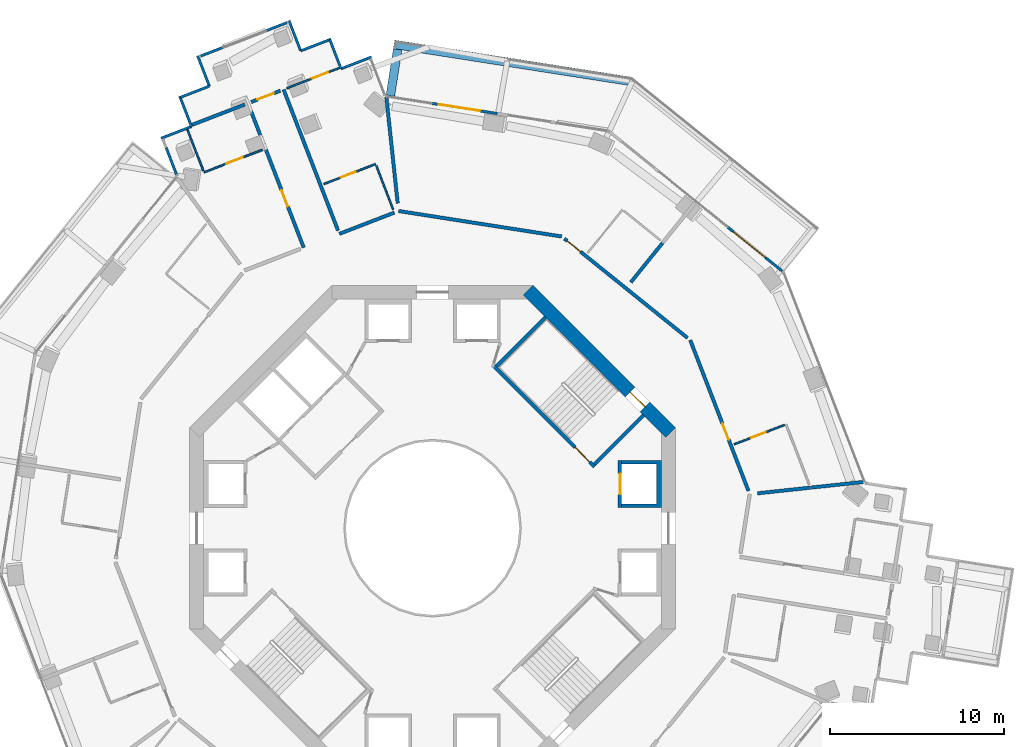
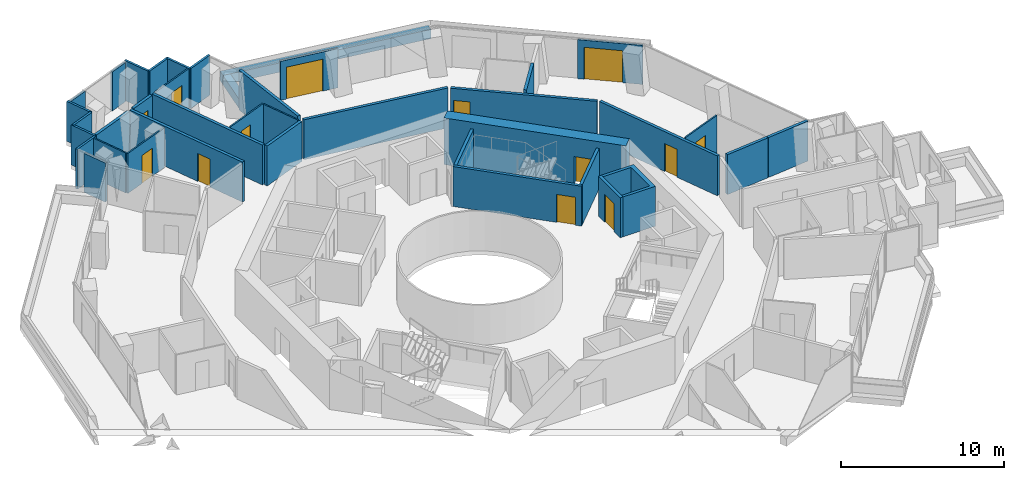
# One storey, part 19 of 23: 39 walls, 13 doors, 13 openings.
"""IFC4 building model written with IfcOpenShell, lengths in metres."""

from ifc_helpers import new_model, si_unit, direction, frame, frame_2d, origin, place, context, subcontext, project, spatial, polyline, rectangle, outline, extrude, material, layer, layer_set, type_object, element, fill, save


model = new_model("IFC4")

# Units and contexts
model_context = context("Model", 3, precision=1e-05, world=origin(), true_north=direction((0.0, 1.0)))
body_context = subcontext(model_context, "Body", "Model", "MODEL_VIEW")
ifc_project = project(units=[si_unit("LENGTHUNIT", "METRE"), si_unit("AREAUNIT", "SQUARE_METRE"), si_unit("VOLUMEUNIT", "CUBIC_METRE"), si_unit("PLANEANGLEUNIT", "RADIAN"), si_unit("MASSUNIT", "GRAM", prefix="KILO")], contexts=[model_context])

# Site, building, storey
site_placement = place(None, origin())
site = spatial("IfcSite", under=ifc_project, at=site_placement, CompositionType="ELEMENT")
building_placement = place(site_placement, origin())
building = spatial("IfcBuilding", under=site, at=building_placement, Name="Verdalira Terraces Hotel", CompositionType="ELEMENT")
storey_placement = place(building_placement, frame((0.0, 0.0, 118.5)))
storey = spatial("IfcBuildingStorey", under=building, at=storey_placement, Name="L28", CompositionType="ELEMENT", Elevation=118.5)

# Walls
ifc_material_1 = material(Name="Concrete C40", Category="concrete")
ifc_layer_1 = layer(ifc_material_1, 0.5)
ifc_layer_set_1 = layer_set([ifc_layer_1], Name="Balcony planter trough with tree")
wall_type_1 = type_object("IfcWallType", Name="Balcony planter trough with tree", PredefinedType="SOLIDWALL", material=ifc_layer_set_1)
wall_1_placement = place(storey_placement, frame((11.336914, 25.76709, 0.0), z_axis=(0.0, 0.0, 1.0), x_axis=(-0.988014238, 0.15436277, 0.0)))
element("IfcWall", 1, at=wall_1_placement, inside=storey, type_object=wall_type_1, Name="Balcony planter", PredefinedType="SOLIDWALL", context=body_context, shape_type="SweptSolid", body=[
    extrude(rectangle(XDim=13.723633, YDim=0.5, at=frame_2d((6.861816, 0.0))), origin(), (0.0, 0.0, 1.0), 0.699951),
])
wall_2_placement = place(storey_placement, frame((-2.013672, 27.600098, 0.0), z_axis=(0.0, 0.0, 1.0), x_axis=(-0.154313416, -0.988021948, 0.0)))
element("IfcWall", 2, at=wall_2_placement, inside=storey, type_object=wall_type_1, Name="Balcony planter", PredefinedType="SOLIDWALL", context=body_context, shape_type="SweptSolid", body=[
    extrude(rectangle(XDim=2.698975, YDim=0.5, at=frame_2d((1.349609, 0.0))), origin(), (0.0, 0.0, 1.0), 0.699951),
])
ifc_material_2 = material(Name="Moisture-resistant gypsum board partition")
ifc_layer_2 = layer(ifc_material_2, 0.10009765625)
ifc_layer_set_2 = layer_set([ifc_layer_2], Name="Bathroom partition 100 mm")
wall_type_2 = type_object("IfcWallType", Name="Bathroom partition 100 mm", PredefinedType="PARTITIONING", material=ifc_layer_set_2)
wall_3_placement = place(storey_placement, frame((-13.210205, 20.600586, 0.0), z_axis=(0.0, 0.0, 1.0), x_axis=(-0.360338698, 0.932821539, 0.0)))
element("IfcWall", 3, at=wall_3_placement, inside=storey, type_object=wall_type_2, Name="Bathroom partition", PredefinedType="PARTITIONING", context=body_context, shape_type="SweptSolid", body=[
    extrude(rectangle(XDim=2.550293, YDim=0.100098, at=frame_2d((1.275146, 0.0))), origin(), (0.0, 0.0, 1.0), 3.0),
])

# Wall, opening, door
wall_4_placement = place(storey_placement, frame((-13.174316, 20.507324, 0.0), z_axis=(0.0, 0.0, 1.0), x_axis=(0.932816785, 0.360351003, 0.0)))
wall_4 = element("IfcWall", 4, at=wall_4_placement, inside=storey, type_object=wall_type_2, Name="Bathroom partition", PredefinedType="PARTITIONING", context=body_context, shape_type="SweptSolid", body=[
    extrude(rectangle(XDim=3.600342, YDim=0.100098, at=frame_2d((1.800293, 0.0))), origin(), (0.0, 0.0, 1.0), 3.0),
])
opening_1_placement = place(wall_4_placement, frame((1.399902, 0.0, 0.0)))
opening_1 = element("IfcOpeningElement", 5, at=opening_1_placement, cuts=wall_4, Name="Opening L28-105", PredefinedType="OPENING", context=body_context, shape_type="SweptSolid", body=[
    extrude(rectangle(XDim=1.0, YDim=2.100098, at=frame_2d((0.5, 1.050049))), frame((0.0, 0.060059, 0.0), z_axis=(0.0, -1.0, 0.0), x_axis=(1.0, 0.0, 0.0)), (0.0, 0.0, 1.0), 0.120117),
])
ifc_material_3 = material(Name="Timber door", Category="wood")
door_type_1 = type_object("IfcDoorType", Name="Bathroom door 1000 x 2100", OperationType="NOTDEFINED", PredefinedType="DOOR", material=ifc_material_3)
door_1_placement = place(opening_1_placement, origin())
door_1 = element("IfcDoor", 6, at=door_1_placement, inside=storey, type_object=door_type_1, Name="Bathroom door 2802", OperationType="SINGLE_SWING_LEFT", OverallHeight=2.10009765625, OverallWidth=1.0, PredefinedType="DOOR", context=body_context, shape_type="SweptSolid", body=[
    extrude(rectangle(XDim=1.0, YDim=2.100098, at=frame_2d((0.5, 1.050049))), frame((0.0, 0.024902, 0.0), z_axis=(0.0, -1.0, 0.0), x_axis=(1.0, 0.0, 0.0)), (0.0, 0.0, 1.0), 0.050049),
])
fill(opening_1, door_1)

wall_5_placement = place(storey_placement, frame((-5.365967, 26.525146, 0.0), z_axis=(0.0, 0.0, 1.0), x_axis=(-0.932822222, -0.360336928, 0.0)))
wall_5 = element("IfcWall", 7, at=wall_5_placement, inside=storey, type_object=wall_type_2, Name="Bathroom partition", PredefinedType="PARTITIONING", context=body_context, shape_type="SweptSolid", body=[
    extrude(rectangle(XDim=3.252197, YDim=0.100098, at=frame_2d((1.625977, 0.0))), origin(), (0.0, 0.0, 1.0), 3.0),
])
opening_2_placement = place(wall_5_placement, frame((0.699951, 0.0, 0.0)))
opening_2 = element("IfcOpeningElement", 8, at=opening_2_placement, cuts=wall_5, Name="Opening L28-102", PredefinedType="OPENING", context=body_context, shape_type="SweptSolid", body=[
    extrude(rectangle(XDim=1.0, YDim=2.100098, at=frame_2d((0.5, 1.050049))), frame((0.0, 0.060059, 0.0), z_axis=(0.0, -1.0, 0.0), x_axis=(1.0, 0.0, 0.0)), (0.0, 0.0, 1.0), 0.120117),
])
ifc_material_4 = material(Name="Timber door", Category="wood")
door_type_2 = type_object("IfcDoorType", Name="Suite internal door 1000 x 2100", OperationType="NOTDEFINED", PredefinedType="DOOR", material=ifc_material_4)
door_2_placement = place(opening_2_placement, origin())
door_2 = element("IfcDoor", 9, at=door_2_placement, inside=storey, type_object=door_type_2, Name="Suite internal door 2801", OperationType="SINGLE_SWING_LEFT", OverallHeight=2.10009765625, OverallWidth=1.0, PredefinedType="DOOR", context=body_context, shape_type="SweptSolid", body=[
    extrude(rectangle(XDim=1.0, YDim=2.100098, at=frame_2d((0.5, 1.050049))), frame((0.0, 0.024902, 0.0), z_axis=(0.0, -1.0, 0.0), x_axis=(1.0, 0.0, 0.0)), (0.0, 0.0, 1.0), 0.050049),
])
fill(opening_2, door_2)

wall_6_placement = place(storey_placement, frame((-3.281982, 20.985352, 0.0), z_axis=(0.0, 0.0, 1.0), x_axis=(-0.93285117, -0.36026198, 0.0)))
wall_6 = element("IfcWall", 10, at=wall_6_placement, inside=storey, type_object=wall_type_2, Name="Bathroom partition", PredefinedType="PARTITIONING", context=body_context, shape_type="SweptSolid", body=[
    extrude(rectangle(XDim=3.199951, YDim=0.100098, at=frame_2d((1.600098, 0.0))), origin(), (0.0, 0.0, 1.0), 3.0),
])
opening_3_placement = place(wall_6_placement, frame((1.25, 0.0, 0.0)))
opening_3 = element("IfcOpeningElement", 11, at=opening_3_placement, cuts=wall_6, Name="Opening L28-103", PredefinedType="OPENING", context=body_context, shape_type="SweptSolid", body=[
    extrude(rectangle(XDim=0.899902, YDim=2.100098, at=frame_2d((0.449951, 1.050049))), frame((0.0, 0.060059, 0.0), z_axis=(0.0, -1.0, 0.0), x_axis=(1.0, 0.0, 0.0)), (0.0, 0.0, 1.0), 0.120117),
])
ifc_material_5 = material(Name="Timber door", Category="wood")
door_type_3 = type_object("IfcDoorType", Name="Bathroom door 900 x 2100", OperationType="NOTDEFINED", PredefinedType="DOOR", material=ifc_material_5)
door_3_placement = place(opening_3_placement, origin())
door_3 = element("IfcDoor", 12, at=door_3_placement, inside=storey, type_object=door_type_3, Name="Bathroom door 2801", OperationType="SINGLE_SWING_LEFT", OverallHeight=2.10009765625, OverallWidth=0.89990234375, PredefinedType="DOOR", context=body_context, shape_type="SweptSolid", body=[
    extrude(rectangle(XDim=0.899902, YDim=2.100098, at=frame_2d((0.449951, 1.050049))), frame((0.0, 0.024902, 0.0), z_axis=(0.0, -1.0, 0.0), x_axis=(1.0, 0.0, 0.0)), (0.0, 0.0, 1.0), 0.050049),
])
fill(opening_3, door_3)

# Wall
wall_7_placement = place(storey_placement, frame((-2.273193, 18.373535, 0.0), z_axis=(0.0, 0.0, 1.0), x_axis=(-0.36026337, 0.932850633, 0.0)))
element("IfcWall", 13, at=wall_7_placement, inside=storey, type_object=wall_type_2, Name="Bathroom partition", PredefinedType="PARTITIONING", context=body_context, shape_type="SweptSolid", body=[
    extrude(rectangle(XDim=2.699951, YDim=0.100098, at=frame_2d((1.350098, 0.0))), origin(), (0.0, 0.0, 1.0), 3.0),
])

# Wall, opening, door
wall_8_placement = place(storey_placement, frame((20.277344, 5.94751, 0.0), z_axis=(0.0, 0.0, 1.0), x_axis=(-0.93283724, -0.360298048, 0.0)))
wall_8 = element("IfcWall", 14, at=wall_8_placement, inside=storey, type_object=wall_type_2, Name="Bathroom partition", PredefinedType="PARTITIONING", context=body_context, shape_type="SweptSolid", body=[
    extrude(rectangle(XDim=3.100098, YDim=0.100098, at=frame_2d((1.550049, 0.0))), origin(), (0.0, 0.0, 1.0), 3.0),
])
opening_4_placement = place(wall_8_placement, frame((1.149902, 0.0, 0.0)))
opening_4 = element("IfcOpeningElement", 15, at=opening_4_placement, cuts=wall_8, Name="Opening L28-128", PredefinedType="OPENING", context=body_context, shape_type="SweptSolid", body=[
    extrude(rectangle(XDim=0.899902, YDim=2.100098, at=frame_2d((0.449951, 1.050049))), frame((0.0, 0.060059, 0.0), z_axis=(0.0, -1.0, 0.0), x_axis=(1.0, 0.0, 0.0)), (0.0, 0.0, 1.0), 0.120117),
])
door_4_placement = place(opening_4_placement, origin())
door_4 = element("IfcDoor", 16, at=door_4_placement, inside=storey, type_object=door_type_3, Name="Bathroom door 2813", OperationType="SINGLE_SWING_LEFT", OverallHeight=2.10009765625, OverallWidth=0.89990234375, PredefinedType="DOOR", context=body_context, shape_type="SweptSolid", body=[
    extrude(rectangle(XDim=0.899902, YDim=2.100098, at=frame_2d((0.449951, 1.050049))), frame((0.0, 0.024902, 0.0), z_axis=(0.0, -1.0, 0.0), x_axis=(1.0, 0.0, 0.0)), (0.0, 0.0, 1.0), 0.050049),
])
fill(opening_4, door_4)

# Wall
ifc_material_6 = material(Name="Concrete C50", Category="concrete")
ifc_layer_3 = layer(ifc_material_6, 0.199951171875)
ifc_layer_set_3 = layer_set([ifc_layer_3], Name="Core RC wall 200 C50")
wall_type_3 = type_object("IfcWallType", Name="Core RC wall 200 C50", PredefinedType="SOLIDWALL", material=ifc_layer_set_3)
wall_9_placement = place(storey_placement, origin())
element("IfcWall", 17, at=wall_9_placement, inside=storey, type_object=wall_type_3, Name="L28 shaft wall E2", PredefinedType="SOLIDWALL", context=body_context, shape_type="SweptSolid", body=[
    extrude(outline(polyline([(13.199951, 3.899902), (13.199951, 1.199951), (10.899902, 1.199951), (10.899902, 1.399902), (12.899902, 1.399902), (12.899902, 3.699951), (10.899902, 3.699951), (10.899902, 3.899902), (13.199951, 3.899902)])), origin(), (0.0, 0.0, 1.0), 3.0),
])

# Wall, opening, door
wall_10_placement = place(storey_placement, frame((10.800049, 1.199951, 0.0), z_axis=(0.0, 0.0, 1.0), x_axis=(0.0, 1.0, 0.0)))
wall_10 = element("IfcWall", 18, at=wall_10_placement, inside=storey, type_object=wall_type_3, Name="L28 shaft front wall E2", PredefinedType="SOLIDWALL", context=body_context, shape_type="SweptSolid", body=[
    extrude(rectangle(XDim=2.699951, YDim=0.199951, at=frame_2d((1.350098, 0.0))), origin(), (0.0, 0.0, 1.0), 3.0),
])
opening_5_placement = place(wall_10_placement, frame((0.75, 0.0, 0.0)))
opening_5 = element("IfcOpeningElement", 19, at=opening_5_placement, cuts=wall_10, Name="Opening LD-L28-802", PredefinedType="OPENING", context=body_context, shape_type="SweptSolid", body=[
    extrude(rectangle(XDim=1.199951, YDim=2.100098, at=frame_2d((0.600098, 1.050049))), frame((0.0, 0.109863, 0.0), z_axis=(0.0, -1.0, 0.0), x_axis=(1.0, 0.0, 0.0)), (0.0, 0.0, 1.0), 0.219971),
])
ifc_material_7 = material(Name="Stainless steel", Category="steel")
door_type_4 = type_object("IfcDoorType", Name="Landing door 1200 x 2100", OperationType="NOTDEFINED", PredefinedType="DOOR", material=ifc_material_7)
door_5_placement = place(opening_5_placement, origin())
door_5 = element("IfcDoor", 20, at=door_5_placement, inside=storey, type_object=door_type_4, Name="Lift landing door LR2 L28", OperationType="DOUBLE_DOOR_SLIDING", OverallHeight=2.10009765625, OverallWidth=1.199951171875, PredefinedType="DOOR", context=body_context, shape_type="SweptSolid", body=[
    extrude(rectangle(XDim=1.199951, YDim=2.100098, at=frame_2d((0.600098, 1.050049))), frame((0.0, 0.024902, 0.0), z_axis=(0.0, -1.0, 0.0), x_axis=(1.0, 0.0, 0.0)), (0.0, 0.0, 1.0), 0.050049),
])
fill(opening_5, door_5)

wall_11_placement = place(storey_placement, frame((3.5354, 9.33374, 0.0), z_axis=(0.0, 0.0, 1.0), x_axis=(0.707106781, -0.707106781, 0.0)))
wall_11 = element("IfcWall", 21, at=wall_11_placement, inside=storey, type_object=wall_type_3, Name="L28 stair ST1 front wall", PredefinedType="SOLIDWALL", context=body_context, shape_type="SweptSolid", body=[
    extrude(rectangle(XDim=8.200195, YDim=0.199951, at=frame_2d((4.100098, 0.0))), origin(), (0.0, 0.0, 1.0), 3.0),
])
opening_6_placement = place(wall_11_placement, frame((6.600098, 0.0, 0.0)))
opening_6 = element("IfcOpeningElement", 22, at=opening_6_placement, cuts=wall_11, Name="Opening L28-809", PredefinedType="OPENING", context=body_context, shape_type="SweptSolid", body=[
    extrude(rectangle(XDim=1.199951, YDim=2.100098, at=frame_2d((0.600098, 1.050049))), frame((0.0, 0.109863, 0.0), z_axis=(0.0, -1.0, 0.0), x_axis=(1.0, 0.0, 0.0)), (0.0, 0.0, 1.0), 0.219971),
])
ifc_material_8 = material(Name="Steel fire door", Category="steel")
door_type_5 = type_object("IfcDoorType", Name="Stair door 1200 x 2100", OperationType="NOTDEFINED", PredefinedType="DOOR", material=ifc_material_8)
door_6_placement = place(opening_6_placement, origin())
door_6 = element("IfcDoor", 23, at=door_6_placement, inside=storey, type_object=door_type_5, Name="Stair door ST1 L28", OperationType="SINGLE_SWING_RIGHT", OverallHeight=2.10009765625, OverallWidth=1.199951171875, PredefinedType="DOOR", context=body_context, shape_type="SweptSolid", body=[
    extrude(rectangle(XDim=1.199951, YDim=2.100098, at=frame_2d((0.600098, 1.050049))), frame((0.0, 0.024902, 0.0), z_axis=(0.0, -1.0, 0.0), x_axis=(1.0, 0.0, 0.0)), (0.0, 0.0, 1.0), 0.050049),
])
fill(opening_6, door_6)

# Walls
for number, where, z_axis, x_axis, name in (
    (24, (9.33374, 3.677002, 0.0), (0.0, 0.0, 1.0), (0.707106781, 0.707106781, 0.0), "L28 stair ST1 end wall 1"),
    (25, (3.677002, 9.33374, 0.0), (0.0, 0.0, 1.0), (0.707106781, 0.707106781, 0.0), "L28 stair ST1 end wall 2"),
):
    element("IfcWall", number, at=place(storey_placement, frame(where, z_axis=z_axis, x_axis=x_axis)), inside=storey, type_object=wall_type_3, Name=name, PredefinedType="SOLIDWALL", context=body_context, shape_type="SweptSolid", body=[
        extrude(rectangle(XDim=4.0, YDim=0.199951, at=frame_2d((2.0, 0.0))), origin(), (0.0, 0.0, 1.0), 3.0),
    ])

# Wall, opening, door
ifc_material_9 = material(Name="Concrete C70", Category="concrete")
ifc_layer_4 = layer(ifc_material_9, 0.800048828125)
ifc_layer_set_4 = layer_set([ifc_layer_4], Name="Core wall 800 C70")
wall_type_4 = type_object("IfcWallType", Name="Core wall 800 C70", PredefinedType="SHEAR", material=ifc_layer_set_4)
wall_12_placement = place(storey_placement, frame((13.717285, 5.516113, 0.0), z_axis=(0.0, 0.0, 1.0), x_axis=(-0.707106781, 0.707106781, 0.0)))
wall_12 = element("IfcWall", 26, at=wall_12_placement, inside=storey, type_object=wall_type_4, Name="Core wall CW-L28-2", PredefinedType="SHEAR", context=body_context, shape_type="SweptSolid", body=[
    extrude(rectangle(XDim=11.598145, YDim=0.800049, at=frame_2d((5.799072, 0.0))), origin(), (0.0, 0.0, 1.0), 3.5),
])
opening_7_placement = place(wall_12_placement, frame((2.099121, 0.0, 0.0)))
opening_7 = element("IfcOpeningElement", 27, at=opening_7_placement, cuts=wall_12, Name="Opening L28-816", PredefinedType="OPENING", context=body_context, shape_type="SweptSolid", body=[
    extrude(rectangle(XDim=1.199951, YDim=2.100098, at=frame_2d((0.600098, 1.050049))), frame((0.0, 0.409912, 0.0), z_axis=(0.0, -1.0, 0.0), x_axis=(1.0, 0.0, 0.0)), (0.0, 0.0, 1.0), 0.820068),
])
door_7_placement = place(opening_7_placement, origin())
door_7 = element("IfcDoor", 28, at=door_7_placement, inside=storey, type_object=door_type_5, Name="Stair exit door ST1 L28", OperationType="SINGLE_SWING_LEFT", OverallHeight=2.10009765625, OverallWidth=1.199951171875, PredefinedType="DOOR", context=body_context, shape_type="SweptSolid", body=[
    extrude(rectangle(XDim=1.199951, YDim=2.100098, at=frame_2d((0.600098, 1.050049))), frame((0.0, 0.024902, 0.0), z_axis=(0.0, -1.0, 0.0), x_axis=(1.0, 0.0, 0.0)), (0.0, 0.0, 1.0), 0.050049),
])
fill(opening_7, door_7)

# Walls
ifc_material_10 = material(Name="Fire-rated gypsum board wall")
ifc_layer_5 = layer(ifc_material_10, 0.199951171875)
ifc_layer_set_5 = layer_set([ifc_layer_5], Name="Demising wall 200 mm")
wall_type_5 = type_object("IfcWallType", Name="Demising wall 200 mm", PredefinedType="SOLIDWALL", material=ifc_layer_set_5)
wall_13_placement = place(storey_placement, frame((-10.822998, 24.417236, 0.0), z_axis=(0.0, 0.0, 1.0), x_axis=(-0.932847454, -0.360271602, 0.0)))
element("IfcWall", 29, at=wall_13_placement, inside=storey, type_object=wall_type_5, Name="Demising wall", PredefinedType="SOLIDWALL", context=body_context, shape_type="SweptSolid", body=[
    extrude(rectangle(XDim=3.252197, YDim=0.199951, at=frame_2d((1.625977, 0.0))), origin(), (0.0, 0.0, 1.0), 3.0),
])
wall_14_placement = place(storey_placement, frame((-2.661377, 24.821777, 0.0), z_axis=(0.0, 0.0, 1.0), x_axis=(0.10658092, -0.994304032, 0.0)))
element("IfcWall", 30, at=wall_14_placement, inside=storey, type_object=wall_type_5, Name="Demising wall", PredefinedType="SOLIDWALL", context=body_context, shape_type="SweptSolid", body=[
    extrude(rectangle(XDim=6.13208, YDim=0.199951, at=frame_2d((3.065918, 0.0))), origin(), (0.0, 0.0, 1.0), 3.0),
])
wall_15_placement = place(storey_placement, frame((11.42749, 14.172363, 0.0), z_axis=(0.0, 0.0, 1.0), x_axis=(0.62768345, 0.778468681, 0.0)))
element("IfcWall", 31, at=wall_15_placement, inside=storey, type_object=wall_type_5, Name="Demising wall", PredefinedType="SOLIDWALL", context=body_context, shape_type="SweptSolid", body=[
    extrude(rectangle(XDim=2.904785, YDim=0.199951, at=frame_2d((1.452393, 0.0))), origin(), (0.0, 0.0, 1.0), 3.0),
])
wall_16_placement = place(storey_placement, frame((18.724609, 2.007812, 0.0), z_axis=(0.0, 0.0, 1.0), x_axis=(0.994307051, 0.106552748, 0.0)))
element("IfcWall", 32, at=wall_16_placement, inside=storey, type_object=wall_type_5, Name="Demising wall", PredefinedType="SOLIDWALL", context=body_context, shape_type="SweptSolid", body=[
    extrude(rectangle(XDim=3.074951, YDim=0.199951, at=frame_2d((1.537598, 0.0))), origin(), (0.0, 0.0, 1.0), 3.0),
])
wall_17_placement = place(storey_placement, frame((21.827393, 2.340332, 0.0), z_axis=(0.0, 0.0, 1.0), x_axis=(0.994301484, 0.106604684, 0.0)))
element("IfcWall", 33, at=wall_17_placement, inside=storey, type_object=wall_type_5, Name="Demising wall", PredefinedType="SOLIDWALL", context=body_context, shape_type="SweptSolid", body=[
    extrude(rectangle(XDim=3.011475, YDim=0.199951, at=frame_2d((1.505859, 0.0))), origin(), (0.0, 0.0, 1.0), 3.0),
])

# Wall, opening, door
ifc_material_11 = material(Name="Fire-rated gypsum board wall")
ifc_layer_6 = layer(ifc_material_11, 0.199951171875)
ifc_layer_set_6 = layer_set([ifc_layer_6], Name="Guest corridor wall 200 mm")
wall_type_6 = type_object("IfcWallType", Name="Guest corridor wall 200 mm", PredefinedType="SOLIDWALL", material=ifc_layer_set_6)
wall_18_placement = place(storey_placement, frame((-10.453613, 24.559814, 0.0), z_axis=(0.0, 0.0, 1.0), x_axis=(0.93280331, 0.360385883, 0.0)))
wall_18 = element("IfcWall", 34, at=wall_18_placement, inside=storey, type_object=wall_type_6, Name="Guest corridor wall", PredefinedType="SOLIDWALL", context=body_context, shape_type="SweptSolid", body=[
    extrude(rectangle(XDim=1.802002, YDim=0.199951, at=frame_2d((0.900879, 0.0))), origin(), (0.0, 0.0, 1.0), 3.0),
])
opening_8_placement = place(wall_18_placement, frame((0.399902, 0.0, 0.0)))
opening_8 = element("IfcOpeningElement", 35, at=opening_8_placement, cuts=wall_18, Name="Opening L28-101", PredefinedType="OPENING", context=body_context, shape_type="SweptSolid", body=[
    extrude(rectangle(XDim=1.0, YDim=2.100098, at=frame_2d((0.5, 1.050049))), frame((0.0, 0.109863, 0.0), z_axis=(0.0, -1.0, 0.0), x_axis=(1.0, 0.0, 0.0)), (0.0, 0.0, 1.0), 0.219971),
])
ifc_material_12 = material(Name="Timber fire door", Category="wood")
door_type_6 = type_object("IfcDoorType", Name="Guest entry door 1000 x 2100", OperationType="NOTDEFINED", PredefinedType="DOOR", material=ifc_material_12)
door_8_placement = place(opening_8_placement, origin())
door_8 = element("IfcDoor", 36, at=door_8_placement, inside=storey, type_object=door_type_6, Name="Guest entry door 2801", OperationType="SINGLE_SWING_LEFT", OverallHeight=2.10009765625, OverallWidth=1.0, PredefinedType="DOOR", context=body_context, shape_type="SweptSolid", body=[
    extrude(rectangle(XDim=1.0, YDim=2.100098, at=frame_2d((0.5, 1.050049))), frame((0.0, 0.024902, 0.0), z_axis=(0.0, -1.0, 0.0), x_axis=(1.0, 0.0, 0.0)), (0.0, 0.0, 1.0), 0.050049),
])
fill(opening_8, door_8)

wall_19_placement = place(storey_placement, frame((-7.424805, 16.169189, 0.0), z_axis=(0.0, 0.0, 1.0), x_axis=(-0.360334317, 0.932823231, 0.0)))
wall_19 = element("IfcWall", 37, at=wall_19_placement, inside=storey, type_object=wall_type_6, Name="Guest corridor wall", PredefinedType="SOLIDWALL", context=body_context, shape_type="SweptSolid", body=[
    extrude(rectangle(XDim=8.918457, YDim=0.199951, at=frame_2d((4.459229, 0.0))), origin(), (0.0, 0.0, 1.0), 3.0),
])
opening_9_placement = place(wall_19_placement, frame((2.550049, 0.0, 0.0)))
opening_9 = element("IfcOpeningElement", 38, at=opening_9_placement, cuts=wall_19, Name="Opening L28-104", PredefinedType="OPENING", context=body_context, shape_type="SweptSolid", body=[
    extrude(rectangle(XDim=1.0, YDim=2.100098, at=frame_2d((0.5, 1.050049))), frame((0.0, 0.109863, 0.0), z_axis=(0.0, -1.0, 0.0), x_axis=(1.0, 0.0, 0.0)), (0.0, 0.0, 1.0), 0.219971),
])
door_9_placement = place(opening_9_placement, origin())
door_9 = element("IfcDoor", 39, at=door_9_placement, inside=storey, type_object=door_type_6, Name="Guest entry door 2802", OperationType="SINGLE_SWING_LEFT", OverallHeight=2.10009765625, OverallWidth=1.0, PredefinedType="DOOR", context=body_context, shape_type="SweptSolid", body=[
    extrude(rectangle(XDim=1.0, YDim=2.100098, at=frame_2d((0.5, 1.050049))), frame((0.0, 0.024902, 0.0), z_axis=(0.0, -1.0, 0.0), x_axis=(1.0, 0.0, 0.0)), (0.0, 0.0, 1.0), 0.050049),
])
fill(opening_9, door_9)

# Walls
wall_20_placement = place(storey_placement, frame((-5.44458, 17.148438, 0.0), z_axis=(0.0, 0.0, 1.0), x_axis=(-0.360337257, 0.932822095, 0.0)))
element("IfcWall", 40, at=wall_20_placement, inside=storey, type_object=wall_type_6, Name="Guest corridor wall", PredefinedType="SOLIDWALL", context=body_context, shape_type="SweptSolid", body=[
    extrude(rectangle(XDim=8.718506, YDim=0.199951, at=frame_2d((4.359375, 0.0))), origin(), (0.0, 0.0, 1.0), 3.0),
])
wall_21_placement = place(storey_placement, frame((-2.200928, 18.187012, 0.0), z_axis=(0.0, 0.0, 1.0), x_axis=(-0.932828306, -0.360321179, 0.0)))
element("IfcWall", 41, at=wall_21_placement, inside=storey, type_object=wall_type_6, Name="Guest corridor wall", PredefinedType="SOLIDWALL", context=body_context, shape_type="SweptSolid", body=[
    extrude(rectangle(XDim=3.399902, YDim=0.199951, at=frame_2d((1.699951, 0.0))), origin(), (0.0, 0.0, 1.0), 3.0),
])
wall_22_placement = place(storey_placement, frame((7.441895, 16.811035, 0.0), z_axis=(0.0, 0.0, 1.0), x_axis=(-0.988012767, 0.154372184, 0.0)))
element("IfcWall", 42, at=wall_22_placement, inside=storey, type_object=wall_type_6, Name="Guest corridor wall", PredefinedType="SOLIDWALL", context=body_context, shape_type="SweptSolid", body=[
    extrude(rectangle(XDim=9.515869, YDim=0.199951, at=frame_2d((4.757812, 0.0))), origin(), (0.0, 0.0, 1.0), 3.0),
])

# Wall, opening, door
wall_23_placement = place(storey_placement, frame((7.598633, 16.685059, 0.0), z_axis=(0.0, 0.0, 1.0), x_axis=(0.778469608, -0.6276823, 0.0)))
wall_23 = element("IfcWall", 43, at=wall_23_placement, inside=storey, type_object=wall_type_6, Name="Guest corridor wall", PredefinedType="SOLIDWALL", context=body_context, shape_type="SweptSolid", body=[
    extrude(rectangle(XDim=9.115479, YDim=0.199951, at=frame_2d((4.557617, 0.0))), origin(), (0.0, 0.0, 1.0), 3.0),
])
opening_10_placement = place(wall_23_placement, frame((0.199951, 0.0, 0.0)))
opening_10 = element("IfcOpeningElement", 44, at=opening_10_placement, cuts=wall_23, Name="Opening L28-129", PredefinedType="OPENING", context=body_context, shape_type="SweptSolid", body=[
    extrude(rectangle(XDim=1.0, YDim=2.100098, at=frame_2d((0.5, 1.050049))), frame((0.0, 0.109863, 0.0), z_axis=(0.0, -1.0, 0.0), x_axis=(1.0, 0.0, 0.0)), (0.0, 0.0, 1.0), 0.219971),
])
door_10_placement = place(opening_10_placement, origin())
door_10 = element("IfcDoor", 45, at=door_10_placement, inside=storey, type_object=door_type_6, Name="Guest entry door 2814", OperationType="SINGLE_SWING_LEFT", OverallHeight=2.10009765625, OverallWidth=1.0, PredefinedType="DOOR", context=body_context, shape_type="SweptSolid", body=[
    extrude(rectangle(XDim=1.0, YDim=2.100098, at=frame_2d((0.5, 1.050049))), frame((0.0, 0.024902, 0.0), z_axis=(0.0, -1.0, 0.0), x_axis=(1.0, 0.0, 0.0)), (0.0, 0.0, 1.0), 0.050049),
])
fill(opening_10, door_10)

wall_24_placement = place(storey_placement, frame((14.851074, 10.836914, 0.0), z_axis=(0.0, 0.0, 1.0), x_axis=(0.360330872, -0.932824562, 0.0)))
wall_24 = element("IfcWall", 46, at=wall_24_placement, inside=storey, type_object=wall_type_6, Name="Guest corridor wall", PredefinedType="SOLIDWALL", context=body_context, shape_type="SweptSolid", body=[
    extrude(rectangle(XDim=9.316162, YDim=0.199951, at=frame_2d((4.658203, 0.0))), origin(), (0.0, 0.0, 1.0), 3.0),
])
opening_11_placement = place(wall_24_placement, frame((5.149902, 0.0, 0.0)))
opening_11 = element("IfcOpeningElement", 47, at=opening_11_placement, cuts=wall_24, Name="Opening L28-127", PredefinedType="OPENING", context=body_context, shape_type="SweptSolid", body=[
    extrude(rectangle(XDim=1.0, YDim=2.100098, at=frame_2d((0.5, 1.050049))), frame((0.0, 0.109863, 0.0), z_axis=(0.0, -1.0, 0.0), x_axis=(1.0, 0.0, 0.0)), (0.0, 0.0, 1.0), 0.219971),
])
door_11_placement = place(opening_11_placement, origin())
door_11 = element("IfcDoor", 48, at=door_11_placement, inside=storey, type_object=door_type_6, Name="Guest entry door 2813", OperationType="SINGLE_SWING_LEFT", OverallHeight=2.10009765625, OverallWidth=1.0, PredefinedType="DOOR", context=body_context, shape_type="SweptSolid", body=[
    extrude(rectangle(XDim=1.0, YDim=2.100098, at=frame_2d((0.5, 1.050049))), frame((0.0, 0.024902, 0.0), z_axis=(0.0, -1.0, 0.0), x_axis=(1.0, 0.0, 0.0)), (0.0, 0.0, 1.0), 0.050049),
])
fill(opening_11, door_11)

# Walls
ifc_material_13 = material(Name="Terracotta cladding", Category="masonry")
ifc_layer_7 = layer(ifc_material_13, 0.14990234375)
ifc_layer_set_7 = layer_set([ifc_layer_7], Name="Terracotta clad wall 150")
wall_type_7 = type_object("IfcWallType", Name="Terracotta clad wall 150", PredefinedType="SOLIDWALL", material=ifc_layer_set_7)
wall_25_placement = place(storey_placement, frame((-3.521973, 27.156982, 0.0), z_axis=(0.0, 0.0, 1.0), x_axis=(-0.932837924, -0.360296278, 0.0)))
element("IfcWall", 49, at=wall_25_placement, inside=storey, type_object=wall_type_7, Name="Terracotta cladding wall", PredefinedType="SOLIDWALL", context=body_context, shape_type="SweptSolid", body=[
    extrude(rectangle(XDim=1.875, YDim=0.149902, at=frame_2d((0.9375, 0.0))), origin(), (0.0, 0.0, 1.0), 3.0),
])
wall_26_placement = place(storey_placement, frame((-5.270996, 26.481445, 0.0), z_axis=(0.0, 0.0, 1.0), x_axis=(-0.360232982, 0.932862369, 0.0)))
element("IfcWall", 50, at=wall_26_placement, inside=storey, type_object=wall_type_7, Name="Terracotta cladding wall", PredefinedType="SOLIDWALL", context=body_context, shape_type="SweptSolid", body=[
    extrude(rectangle(XDim=1.800049, YDim=0.149902, at=frame_2d((0.899902, 0.0))), origin(), (0.0, 0.0, 1.0), 3.0),
])
for number, where, z_axis, x_axis, name in (
    (51, (-5.849609, 28.1875, 0.0), (0.0, 0.0, 1.0), (-0.932837924, -0.360296278, 0.0), "Terracotta cladding wall"),
    (52, (-7.598633, 27.511963, 0.0), (0.0, 0.0, 1.0), (-0.360296278, 0.932837924, 0.0), "Terracotta cladding wall"),
    (53, (-13.544678, 27.225098, 0.0), (0.0, 0.0, 1.0), (0.360296278, -0.932837924, 0.0), "Terracotta cladding wall"),
):
    element("IfcWall", number, at=place(storey_placement, frame(where, z_axis=z_axis, x_axis=x_axis)), inside=storey, type_object=wall_type_7, Name=name, PredefinedType="SOLIDWALL", context=body_context, shape_type="SweptSolid", body=[
        extrude(rectangle(XDim=1.875, YDim=0.149902, at=frame_2d((0.9375, 0.0))), origin(), (0.0, 0.0, 1.0), 3.0),
    ])
wall_27_placement = place(storey_placement, frame((-12.869141, 25.476074, 0.0), z_axis=(0.0, 0.0, 1.0), x_axis=(-0.932844765, -0.360278566, 0.0)))
element("IfcWall", 54, at=wall_27_placement, inside=storey, type_object=wall_type_7, Name="Terracotta cladding wall", PredefinedType="SOLIDWALL", context=body_context, shape_type="SweptSolid", body=[
    extrude(rectangle(XDim=1.799805, YDim=0.149902, at=frame_2d((0.899902, 0.0))), origin(), (0.0, 0.0, 1.0), 3.0),
])
for number, where, z_axis, x_axis, name in (
    (55, (-14.575195, 24.897461, 0.0), (0.0, 0.0, 1.0), (0.360296278, -0.932837924, 0.0), "Terracotta cladding wall"),
    (56, (-13.899658, 23.148438, 0.0), (0.0, 0.0, 1.0), (-0.932837924, -0.360296278, 0.0), "Terracotta cladding wall"),
):
    element("IfcWall", number, at=place(storey_placement, frame(where, z_axis=z_axis, x_axis=x_axis)), inside=storey, type_object=wall_type_7, Name=name, PredefinedType="SOLIDWALL", context=body_context, shape_type="SweptSolid", body=[
        extrude(rectangle(XDim=1.875, YDim=0.149902, at=frame_2d((0.9375, 0.0))), origin(), (0.0, 0.0, 1.0), 3.0),
    ])
ifc_material_14 = material(Name="Terracotta cladding", Category="masonry")
ifc_layer_8 = layer(ifc_material_14, 0.14990234375)
ifc_layer_set_8 = layer_set([ifc_layer_8], Name="Terracotta column pier 150")
wall_type_8 = type_object("IfcWallType", Name="Terracotta column pier 150", PredefinedType="SOLIDWALL", material=ifc_layer_set_8)
wall_28_placement = place(storey_placement, frame((-8.391846, 29.135254, 0.0), z_axis=(0.0, 0.0, 1.0), x_axis=(-0.932841569, -0.360286839, 0.0)))
element("IfcWall", 57, at=wall_28_placement, inside=storey, type_object=wall_type_8, Name="Terracotta column pier", PredefinedType="SOLIDWALL", context=body_context, shape_type="SweptSolid", body=[
    extrude(rectangle(XDim=1.288086, YDim=0.149902, at=frame_2d((0.644043, 0.0))), origin(), (0.0, 0.0, 1.0), 2.935059),
])
wall_29_placement = place(storey_placement, frame((-12.04834, 27.722656, 0.0), z_axis=(0.0, 0.0, 1.0), x_axis=(-0.932879554, -0.360188475, 0.0)))
element("IfcWall", 58, at=wall_29_placement, inside=storey, type_object=wall_type_8, Name="Terracotta column pier", PredefinedType="SOLIDWALL", context=body_context, shape_type="SweptSolid", body=[
    extrude(rectangle(XDim=1.419922, YDim=0.149902, at=frame_2d((0.709961, 0.0))), origin(), (0.0, 0.0, 1.0), 2.935059),
])
wall_30_placement = place(storey_placement, frame((-15.360596, 21.935547, 0.0), z_axis=(0.0, 0.0, 1.0), x_axis=(0.360263271, -0.932850672, 0.0)))
element("IfcWall", 59, at=wall_30_placement, inside=storey, type_object=wall_type_8, Name="Terracotta column pier", PredefinedType="SOLIDWALL", context=body_context, shape_type="SweptSolid", body=[
    extrude(rectangle(XDim=1.668457, YDim=0.149902, at=frame_2d((0.834229, 0.0))), origin(), (0.0, 0.0, 1.0), 2.935059),
])

# Wall, opening, door
ifc_material_15 = material(Name="Terracotta cladding", Category="masonry")
ifc_layer_9 = layer(ifc_material_15, 0.14990234375)
ifc_layer_set_9 = layer_set([ifc_layer_9], Name="Terracotta door pier 150")
wall_type_9 = type_object("IfcWallType", Name="Terracotta door pier 150", PredefinedType="SOLIDWALL", material=ifc_layer_set_9)
wall_31_placement = place(storey_placement, frame((20.161621, 14.808594, 0.0), z_axis=(0.0, 0.0, 1.0), x_axis=(-0.778437766, 0.627721789, 0.0)))
wall_31 = element("IfcWall", 60, at=wall_31_placement, inside=storey, type_object=wall_type_9, Name="Terracotta door pier", PredefinedType="SOLIDWALL", context=body_context, shape_type="SweptSolid", body=[
    extrude(rectangle(XDim=4.046387, YDim=0.149902, at=frame_2d((2.023193, 0.0))), origin(), (0.0, 0.0, 1.0), 2.935059),
])
opening_12_placement = place(wall_31_placement, frame((1.246582, 0.0, 0.0)))
opening_12 = element("IfcOpeningElement", 61, at=opening_12_placement, cuts=wall_31, Name="Opening L28-B12", PredefinedType="OPENING", context=body_context, shape_type="SweptSolid", body=[
    extrude(rectangle(XDim=2.399902, YDim=2.399902, at=frame_2d((1.199951, 1.199951))), frame((0.0, 0.084961, 0.0), z_axis=(0.0, -1.0, 0.0), x_axis=(1.0, 0.0, 0.0)), (0.0, 0.0, 1.0), 0.169922),
])
ifc_material_16 = material(Name="Clear glass", Category="glass")
door_type_7 = type_object("IfcDoorType", Name="Balcony sliding door 2400x2400", OperationType="NOTDEFINED", PredefinedType="DOOR", material=ifc_material_16)
door_12_placement = place(opening_12_placement, origin())
door_12 = element("IfcDoor", 62, at=door_12_placement, inside=storey, type_object=door_type_7, Name="Balcony sliding door", OperationType="SLIDING_TO_LEFT", OverallHeight=2.39990234375, OverallWidth=2.39990234375, PredefinedType="DOOR", context=body_context, shape_type="SweptSolid", body=[
    extrude(rectangle(XDim=2.399902, YDim=2.399902, at=frame_2d((1.199951, 1.199951))), frame((0.0, 0.024902, 0.0), z_axis=(0.0, -1.0, 0.0), x_axis=(1.0, 0.0, 0.0)), (0.0, 0.0, 1.0), 0.050049),
])
fill(opening_12, door_12)

wall_32_placement = place(storey_placement, frame((3.733154, 23.893555, 0.0), z_axis=(0.0, 0.0, 1.0), x_axis=(-0.98801905, 0.154331968, 0.0)))
wall_32 = element("IfcWall", 63, at=wall_32_placement, inside=storey, type_object=wall_type_9, Name="Terracotta door pier", PredefinedType="SOLIDWALL", context=body_context, shape_type="SweptSolid", body=[
    extrude(rectangle(XDim=3.813965, YDim=0.149902, at=frame_2d((1.906982, 0.0))), origin(), (0.0, 0.0, 1.0), 2.935059),
])
opening_13_placement = place(wall_32_placement, frame((1.013916, 0.0, 0.0)))
opening_13 = element("IfcOpeningElement", 64, at=opening_13_placement, cuts=wall_32, Name="Opening L28-B15", PredefinedType="OPENING", context=body_context, shape_type="SweptSolid", body=[
    extrude(rectangle(XDim=2.399902, YDim=2.399902, at=frame_2d((1.199951, 1.199951))), frame((0.0, 0.084961, 0.0), z_axis=(0.0, -1.0, 0.0), x_axis=(1.0, 0.0, 0.0)), (0.0, 0.0, 1.0), 0.169922),
])
door_13_placement = place(opening_13_placement, origin())
door_13 = element("IfcDoor", 65, at=door_13_placement, inside=storey, type_object=door_type_7, Name="Balcony sliding door", OperationType="SLIDING_TO_LEFT", OverallHeight=2.39990234375, OverallWidth=2.39990234375, PredefinedType="DOOR", context=body_context, shape_type="SweptSolid", body=[
    extrude(rectangle(XDim=2.399902, YDim=2.399902, at=frame_2d((1.199951, 1.199951))), frame((0.0, 0.024902, 0.0), z_axis=(0.0, -1.0, 0.0), x_axis=(1.0, 0.0, 0.0)), (0.0, 0.0, 1.0), 0.050049),
])
fill(opening_13, door_13)

save(model, "model.ifc")
